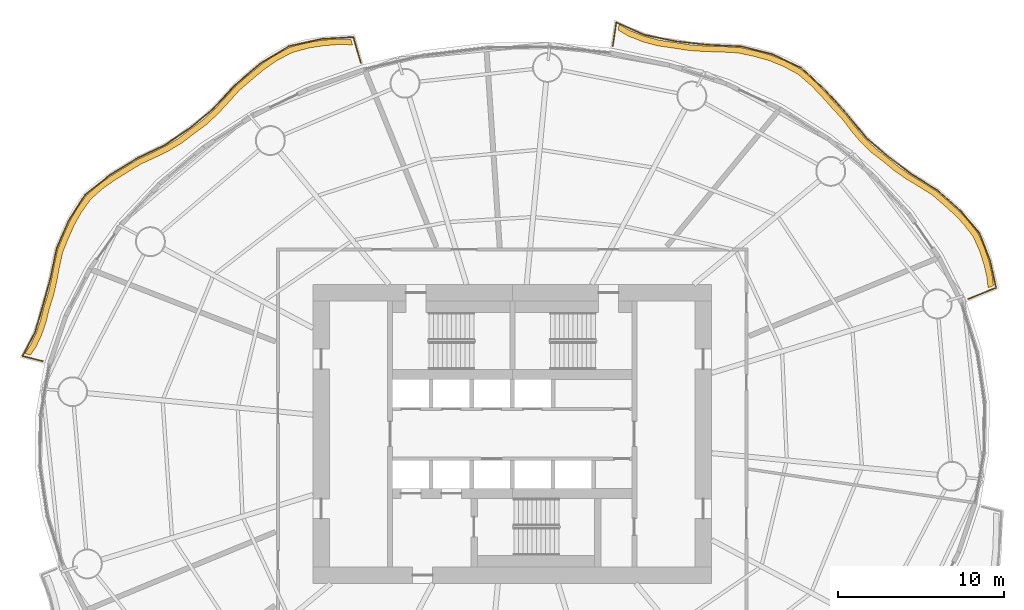
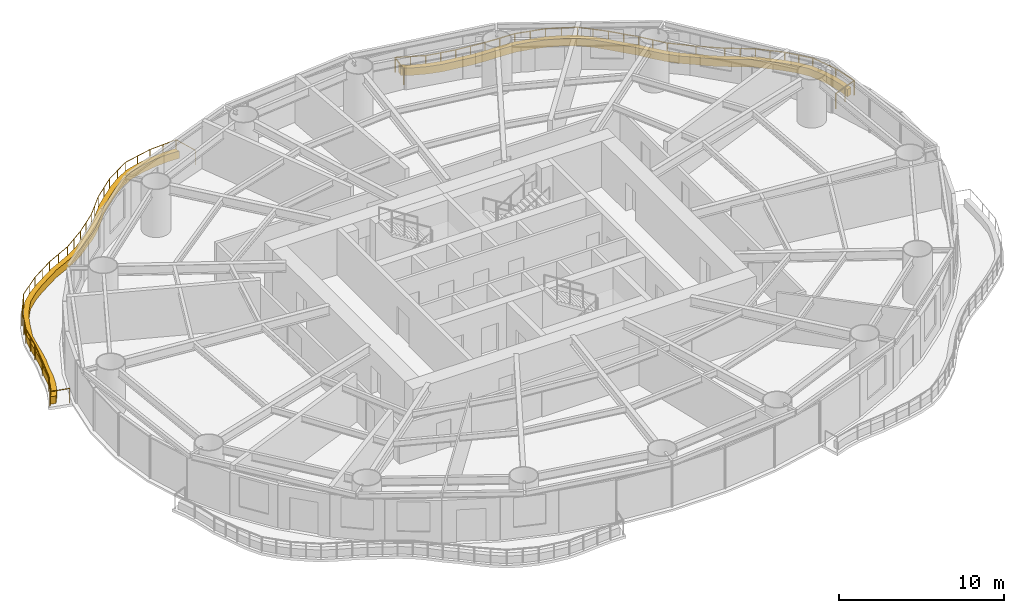
# One storey, part 16 of 16: 2 coverings, 2 railings.
"""IFC4 building model written with IfcOpenShell, lengths in metres."""

from ifc_helpers import new_model, si_unit, direction, frame, origin, origin_2d, place, context, subcontext, project, spatial, polyline, circle, outline, extrude, material, type_object, element, save


model = new_model("IFC4")

# Units and contexts
model_context = context("Model", 3, precision=1e-05, world=origin(), true_north=direction((0.0, 1.0)))
body_context = subcontext(model_context, "Body", "Model", "MODEL_VIEW")
ifc_project = project(units=[si_unit("LENGTHUNIT", "METRE"), si_unit("AREAUNIT", "SQUARE_METRE"), si_unit("VOLUMEUNIT", "CUBIC_METRE"), si_unit("PLANEANGLEUNIT", "RADIAN"), si_unit("MASSUNIT", "GRAM", prefix="KILO")], contexts=[model_context])

# Site, building, storey
site_placement = place(None, origin())
site = spatial("IfcSite", under=ifc_project, at=site_placement, CompositionType="ELEMENT")
building_placement = place(site_placement, origin())
building = spatial("IfcBuilding", under=site, at=building_placement, Name="Vermilion Reach Broadcast Tower", CompositionType="ELEMENT")
storey_placement = place(building_placement, frame((0.0, 0.0, 50.800048828125)))
storey = spatial("IfcBuildingStorey", under=building, at=storey_placement, Name="L09", CompositionType="ELEMENT", Elevation=50.800048828125)

# Coverings
ifc_material_1 = material(Name="Planting soil and greenery")
covering_type = type_object("IfcCoveringType", Name="Balcony PLANTER", PredefinedType="USERDEFINED", material=ifc_material_1)
placement = place(storey_placement, origin())
element("IfcCovering", 1, at=placement, inside=storey, type_object=covering_type, Name="PLANTER L09 group 1", ObjectType="PLANTER", PredefinedType="USERDEFINED", context=body_context, shape_type="SweptSolid", body=[
    extrude(outline(polyline([(22.959716796875, 8.929443359375), (22.877685546875, 9.599365234375), (22.68994140625, 10.388916015625), (22.445068359375, 11.14990234375), (22.0498046875, 12.040771484375), (21.447021484375, 12.828125), (20.883056640625, 13.41943359375), (20.265625, 13.973388671875), (19.538330078125, 14.612548828125), (18.69873046875, 15.142578125), (17.96337890625, 15.58837890625), (17.263427734375, 16.0673828125), (16.566650390625, 16.649169921875), (15.83544921875, 17.21240234375), (15.220947265625, 17.80322265625), (14.660400390625, 18.4599609375), (14.06640625, 19.22802734375), (13.381591796875, 19.95947265625), (12.7783203125, 20.639892578125), (12.15478515625, 21.288330078125), (11.370849609375, 21.955078125), (10.4541015625, 22.44677734375), (9.625732421875, 22.7822265625), (8.75634765625, 23.028564453125), (7.74609375, 23.255859375), (6.68310546875, 23.321533203125), (5.732666015625, 23.34619140625), (4.794189453125, 23.407470703125), (3.81982421875, 23.559814453125), (2.840087890625, 23.701416015625), (1.94482421875, 23.94091796875), (1.070556640625, 24.282470703125), (0.425537109375, 24.656982421875), (0.373291015625, 24.31103515625), (0.99951171875, 23.939697265625), (1.873779296875, 23.59814453125), (2.76904296875, 23.358642578125), (3.729736328125, 23.2216796875), (4.685302734375, 23.074951171875), (5.62353515625, 23.013671875), (6.573974609375, 22.989013671875), (7.61767578125, 22.93017578125), (8.609130859375, 22.711181640625), (9.478759765625, 22.464599609375), (10.306884765625, 22.129150390625), (11.20458984375, 21.64697265625), (11.97021484375, 20.990966796875), (12.593505859375, 20.3427734375), (13.19677734375, 19.662353515625), (13.863037109375, 18.943115234375), (14.439208984375, 18.18896484375), (14.999755859375, 17.531982421875), (15.6142578125, 16.941162109375), (16.32763671875, 16.3935546875), (17.007568359375, 15.828369140625), (17.70751953125, 15.349609375), (18.44287109375, 14.90380859375), (19.26611328125, 14.392333984375), (19.978515625, 13.773193359375), (20.595947265625, 13.21923828125), (21.159912109375, 12.6279296875), (21.74853515625, 11.862548828125), (22.13134765625, 10.99462890625), (22.376220703125, 10.233642578125), (22.56396484375, 9.444091796875), (22.635009765625, 8.798828125), (22.959716796875, 8.929443359375)])), origin(), (0.0, 0.0, 1.0), 0.550048828125),
])
element("IfcCovering", 2, at=placement, inside=storey, type_object=covering_type, Name="PLANTER L09 group 2", ObjectType="PLANTER", PredefinedType="USERDEFINED", context=body_context, shape_type="SweptSolid", body=[
    extrude(outline(polyline([(-15.713623046875, 23.751220703125), (-16.483154296875, 23.7763671875), (-17.437744140625, 23.701416015625), (-18.368408203125, 23.55810546875), (-19.39599609375, 23.274169921875), (-20.3232421875, 22.782470703125), (-21.08154296875, 22.258544921875), (-21.804443359375, 21.66162109375), (-22.600830078125, 20.97802734375), (-23.296875, 20.2158203125), (-23.924560546875, 19.540283203125), (-24.58984375, 18.923828125), (-25.360595703125, 18.35302734375), (-26.10498046875, 17.784423828125), (-26.860107421875, 17.330078125), (-27.663818359375, 16.934326171875), (-28.580810546875, 16.50634765625), (-29.42236328125, 15.98291015625), (-30.17236328125, 15.521240234375), (-30.881103515625, 15.020751953125), (-31.644287109375, 14.34521484375), (-32.220947265625, 13.537109375), (-32.629638671875, 12.812255859375), (-32.974853515625, 12.042236328125), (-33.355224609375, 11.125244140625), (-33.572265625, 10.170654296875), (-33.727783203125, 9.3427734375), (-33.912353515625, 8.529541015625), (-34.187255859375, 7.668212890625), (-34.39794921875, 6.815673828125), (-34.65966796875, 6.0693359375), (-34.99755859375, 5.348876953125), (-35.33935546875, 4.838623046875), (-35.0, 4.752685546875), (-34.666015625, 5.23681640625), (-34.327880859375, 5.957275390625), (-34.06640625, 6.70361328125), (-33.864990234375, 7.53173828125), (-33.60107421875, 8.36962890625), (-33.41650390625, 9.182861328125), (-33.2607421875, 10.0107421875), (-33.05615234375, 10.943359375), (-32.689208984375, 11.839599609375), (-32.34423828125, 12.609619140625), (-31.935302734375, 13.33447265625), (-31.373291015625, 14.1240234375), (-30.625732421875, 14.78173828125), (-29.9169921875, 15.281982421875), (-29.1669921875, 15.74365234375), (-28.341064453125, 16.25146484375), (-27.441162109375, 16.66455078125), (-26.637451171875, 17.06005859375), (-25.882080078125, 17.514404296875), (-25.15478515625, 18.070068359375), (-24.401611328125, 18.62890625), (-23.736083984375, 19.2451171875), (-23.108642578125, 19.9208984375), (-22.43017578125, 20.67236328125), (-21.65185546875, 21.3466796875), (-20.928955078125, 21.943359375), (-20.170654296875, 22.46728515625), (-19.261474609375, 22.950927734375), (-18.252197265625, 23.22802734375), (-17.32177734375, 23.371337890625), (-16.366943359375, 23.4462890625), (-15.615966796875, 23.415283203125), (-15.713623046875, 23.751220703125)])), origin(), (0.0, 0.0, 1.0), 0.550048828125),
])

# Railings
ifc_material_2 = material(Name="Stainless steel 316 balustrade", Category="steel")
railing_type = type_object("IfcRailingType", Name="Balcony guard 1100", PredefinedType="BALUSTRADE", material=ifc_material_2)
railing_1_placement = place(storey_placement, frame((21.42431640625, 8.118408203125, 0.0)))
element("IfcRailing", 3, at=railing_1_placement, inside=storey, type_object=railing_type, Name="Balcony guard L09 group 1", PredefinedType="BALUSTRADE", context=body_context, shape_type="SweptSolid", body=[
    extrude(circle(Radius=0.02490234375, at=origin_2d()), frame((0.0, 0.0, 1.0751953125), z_axis=(0.927735176186, 0.373239122905, 0.0), x_axis=(-0.373239122905, 0.927735176186, 0.0)), (0.0, 0.0, 1.0), 1.821044921875),
    extrude(circle(Radius=0.02490234375, at=origin_2d()), frame((1.689453125, 0.6796875, 1.0751953125), z_axis=(-0.211722982124, 0.977329718591, 0.0), x_axis=(-0.977329718591, -0.211722982124, 0.0)), (0.0, 0.0, 1.0), 1.6640625),
    extrude(circle(Radius=0.02490234375, at=origin_2d()), frame((1.337158203125, 2.305908203125, 1.0751953125), z_axis=(-0.361637501709, 0.932318785265, 0.0), x_axis=(-0.932318785265, -0.361637501709, 0.0)), (0.0, 0.0, 1.0), 1.777587890625),
    extrude(circle(Radius=0.02490234375, at=origin_2d()), frame((0.6943359375, 3.963134765625, 1.0751953125), z_axis=(-0.645694556795, 0.763595795775, 0.0), x_axis=(-0.763595795775, -0.645694556795, 0.0)), (0.0, 0.0, 1.0), 1.811767578125),
    extrude(circle(Radius=0.02490234375, at=origin_2d()), frame((-0.4755859375, 5.3466796875, 1.0751953125), z_axis=(-0.747633332321, 0.66411173789, 0.0), x_axis=(-0.66411173789, -0.747633332321, 0.0)), (0.0, 0.0, 1.0), 1.803466796875),
    extrude(circle(Radius=0.02490234375, at=origin_2d()), frame((-1.823974609375, 6.54443359375, 1.0751953125), z_axis=(-0.849508174534, 0.527575455646, 0.0), x_axis=(-0.527575455646, -0.849508174534, 0.0)), (0.0, 0.0, 1.0), 1.85791015625),
    extrude(circle(Radius=0.02490234375, at=origin_2d()), frame((-3.40234375, 7.524658203125, 1.0751953125), z_axis=(-0.796170216725, 0.605072711333, 0.0), x_axis=(-0.605072711333, -0.796170216725, 0.0)), (0.0, 0.0, 1.0), 1.75927734375),
    extrude(circle(Radius=0.02490234375, at=origin_2d()), frame((-4.802978515625, 8.589111328125, 1.0751953125), z_axis=(-0.759130595379, 0.650938352811, 0.0), x_axis=(-0.650938352811, -0.759130595379, 0.0)), (0.0, 0.0, 1.0), 1.778076171875),
    extrude(circle(Radius=0.02490234375, at=origin_2d()), frame((-6.15283203125, 9.74658203125, 1.0751953125), z_axis=(-0.630007620298, 0.776588950711, 0.0), x_axis=(-0.776588950711, -0.630007620298, 0.0)), (0.0, 0.0, 1.0), 1.8388671875),
    extrude(circle(Radius=0.02490234375, at=origin_2d()), frame((-7.311279296875, 11.174560546875, 1.0751953125), z_axis=(-0.674408300279, 0.738358615115, 0.0), x_axis=(-0.738358615115, -0.674408300279, 0.0)), (0.0, 0.0, 1.0), 1.91650390625),
    extrude(circle(Radius=0.02490234375, at=origin_2d()), frame((-8.603759765625, 12.589599609375, 1.0751953125), z_axis=(-0.731088905189, 0.682282208994, 0.0), x_axis=(-0.682282208994, -0.731088905189, 0.0)), (0.0, 0.0, 1.0), 1.930908203125),
    extrude(circle(Radius=0.02490234375, at=origin_2d()), frame((-10.015380859375, 13.906982421875, 1.0751953125), z_axis=(-0.903611988028, 0.428351929016, 0.0), x_axis=(-0.428351929016, -0.903611988028, 0.0)), (0.0, 0.0, 1.0), 1.93603515625),
    extrude(circle(Radius=0.02490234375, at=origin_2d()), frame((-11.764892578125, 14.736328125, 1.0751953125), z_axis=(-0.969585659877, 0.244752217888, 0.0), x_axis=(-0.244752217888, -0.969585659877, 0.0)), (0.0, 0.0, 1.0), 1.943115234375),
    extrude(circle(Radius=0.02490234375, at=origin_2d()), frame((-13.64892578125, 15.2119140625, 1.0751953125), z_axis=(-0.998961300491, 0.045566655812, 0.0), x_axis=(-0.045566655812, -0.998961300491, 0.0)), (0.0, 0.0, 1.0), 2.02001953125),
    extrude(circle(Radius=0.02490234375, at=origin_2d()), frame((-15.666748046875, 15.303955078125, 1.0751953125), z_axis=(-0.993793897501, 0.111237085942, 0.0), x_axis=(-0.111237085942, -0.993793897501, 0.0)), (0.0, 0.0, 1.0), 1.92919921875),
    extrude(circle(Radius=0.02490234375, at=origin_2d()), frame((-17.583984375, 15.5185546875, 1.0751953125), z_axis=(-0.979929076444, 0.199346445013, 0.0), x_axis=(-0.199346445013, -0.979929076444, 0.0)), (0.0, 0.0, 1.0), 1.91796875),
    extrude(circle(Radius=0.02490234375, at=origin_2d()), frame((-19.46337890625, 15.90087890625, 1.0751953125), z_axis=(-0.914211816247, 0.405236665461, 0.0), x_axis=(-0.405236665461, -0.914211816247, 0.0)), (0.0, 0.0, 1.0), 1.859130859375),
    extrude(circle(Radius=0.02490234375, at=origin_2d()), frame((-21.1630859375, 16.654296875, 1.0751953125), z_axis=(-0.148883742379, -0.988854706848, 0.0), x_axis=(0.988854706848, -0.148883742379, 0.0)), (0.0, 0.0, 1.0), 1.42822265625),
    extrude(circle(Radius=0.02490234375, at=origin_2d()), origin(), (0.0, 0.0, 1.0), 1.050048828125),
    extrude(circle(Radius=0.02490234375, at=origin_2d()), frame((0.8447265625, 0.33984375, 0.0)), (0.0, 0.0, 1.0), 1.050048828125),
    extrude(circle(Radius=0.02490234375, at=origin_2d()), frame((1.689453125, 0.6796875, 0.0)), (0.0, 0.0, 1.0), 1.050048828125),
    extrude(circle(Radius=0.02490234375, at=origin_2d()), frame((1.337158203125, 2.305908203125, 0.0)), (0.0, 0.0, 1.0), 1.050048828125),
    extrude(circle(Radius=0.02490234375, at=origin_2d()), frame((0.6943359375, 3.963134765625, 0.0)), (0.0, 0.0, 1.0), 1.050048828125),
    extrude(circle(Radius=0.02490234375, at=origin_2d()), frame((0.109375, 4.65478515625, 0.0)), (0.0, 0.0, 1.0), 1.050048828125),
    extrude(circle(Radius=0.02490234375, at=origin_2d()), frame((-0.4755859375, 5.3466796875, 0.0)), (0.0, 0.0, 1.0), 1.050048828125),
    extrude(circle(Radius=0.02490234375, at=origin_2d()), frame((-1.14990234375, 5.945556640625, 0.0)), (0.0, 0.0, 1.0), 1.050048828125),
    extrude(circle(Radius=0.02490234375, at=origin_2d()), frame((-1.823974609375, 6.54443359375, 0.0)), (0.0, 0.0, 1.0), 1.050048828125),
    extrude(circle(Radius=0.02490234375, at=origin_2d()), frame((-2.61328125, 7.03466796875, 0.0)), (0.0, 0.0, 1.0), 1.050048828125),
    extrude(circle(Radius=0.02490234375, at=origin_2d()), frame((-3.40234375, 7.524658203125, 0.0)), (0.0, 0.0, 1.0), 1.050048828125),
    extrude(circle(Radius=0.02490234375, at=origin_2d()), frame((-4.802978515625, 8.589111328125, 0.0)), (0.0, 0.0, 1.0), 1.050048828125),
    extrude(circle(Radius=0.02490234375, at=origin_2d()), frame((-6.15283203125, 9.74658203125, 0.0)), (0.0, 0.0, 1.0), 1.050048828125),
    extrude(circle(Radius=0.02490234375, at=origin_2d()), frame((-6.73193359375, 10.46044921875, 0.0)), (0.0, 0.0, 1.0), 1.050048828125),
    extrude(circle(Radius=0.02490234375, at=origin_2d()), frame((-7.311279296875, 11.174560546875, 0.0)), (0.0, 0.0, 1.0), 1.050048828125),
    extrude(circle(Radius=0.02490234375, at=origin_2d()), frame((-7.95751953125, 11.882080078125, 0.0)), (0.0, 0.0, 1.0), 1.050048828125),
    extrude(circle(Radius=0.02490234375, at=origin_2d()), frame((-8.603759765625, 12.589599609375, 0.0)), (0.0, 0.0, 1.0), 1.050048828125),
    extrude(circle(Radius=0.02490234375, at=origin_2d()), frame((-9.3095703125, 13.248291015625, 0.0)), (0.0, 0.0, 1.0), 1.050048828125),
    extrude(circle(Radius=0.02490234375, at=origin_2d()), frame((-10.015380859375, 13.906982421875, 0.0)), (0.0, 0.0, 1.0), 1.050048828125),
    extrude(circle(Radius=0.02490234375, at=origin_2d()), frame((-10.89013671875, 14.32177734375, 0.0)), (0.0, 0.0, 1.0), 1.050048828125),
    extrude(circle(Radius=0.02490234375, at=origin_2d()), frame((-11.764892578125, 14.736328125, 0.0)), (0.0, 0.0, 1.0), 1.050048828125),
    extrude(circle(Radius=0.02490234375, at=origin_2d()), frame((-12.70703125, 14.97412109375, 0.0)), (0.0, 0.0, 1.0), 1.050048828125),
    extrude(circle(Radius=0.02490234375, at=origin_2d()), frame((-13.64892578125, 15.2119140625, 0.0)), (0.0, 0.0, 1.0), 1.050048828125),
    extrude(circle(Radius=0.02490234375, at=origin_2d()), frame((-14.65771484375, 15.2578125, 0.0)), (0.0, 0.0, 1.0), 1.050048828125),
    extrude(circle(Radius=0.02490234375, at=origin_2d()), frame((-15.666748046875, 15.303955078125, 0.0)), (0.0, 0.0, 1.0), 1.050048828125),
    extrude(circle(Radius=0.02490234375, at=origin_2d()), frame((-16.62548828125, 15.4111328125, 0.0)), (0.0, 0.0, 1.0), 1.050048828125),
    extrude(circle(Radius=0.02490234375, at=origin_2d()), frame((-17.583984375, 15.5185546875, 0.0)), (0.0, 0.0, 1.0), 1.050048828125),
    extrude(circle(Radius=0.02490234375, at=origin_2d()), frame((-18.523681640625, 15.709716796875, 0.0)), (0.0, 0.0, 1.0), 1.050048828125),
    extrude(circle(Radius=0.02490234375, at=origin_2d()), frame((-19.46337890625, 15.90087890625, 0.0)), (0.0, 0.0, 1.0), 1.050048828125),
    extrude(circle(Radius=0.02490234375, at=origin_2d()), frame((-20.313232421875, 16.277587890625, 0.0)), (0.0, 0.0, 1.0), 1.050048828125),
    extrude(circle(Radius=0.02490234375, at=origin_2d()), frame((-21.1630859375, 16.654296875, 0.0)), (0.0, 0.0, 1.0), 1.050048828125),
    extrude(circle(Radius=0.02490234375, at=origin_2d()), frame((-21.375732421875, 15.241943359375, 0.0)), (0.0, 0.0, 1.0), 1.050048828125),
])
railing_2_placement = place(storey_placement, frame((-15.1162109375, 22.342529296875, 0.0)))
element("IfcRailing", 4, at=railing_2_placement, inside=storey, type_object=railing_type, Name="Balcony guard L09 group 2", PredefinedType="BALUSTRADE", context=body_context, shape_type="SweptSolid", body=[
    extrude(circle(Radius=0.02490234375, at=origin_2d()), frame((0.0, 0.0, 1.0751953125), z_axis=(-0.279726208862, 0.960079813388, 0.0), x_axis=(-0.960079813388, -0.279726208862, 0.0)), (0.0, 0.0, 1.0), 1.609375),
    extrude(circle(Radius=0.02490234375, at=origin_2d()), frame((-0.4501953125, 1.545166015625, 1.0751953125), z_axis=(-0.998306547346, -0.058172480827, 0.0), x_axis=(0.058172480827, -0.998306547346, 0.0)), (0.0, 0.0, 1.0), 1.901123046875),
    extrude(circle(Radius=0.02490234375, at=origin_2d()), frame((-2.34814453125, 1.4345703125, 1.0751953125), z_axis=(-0.97690794546, -0.213660633008, 0.0), x_axis=(0.213660633008, -0.97690794546, 0.0)), (0.0, 0.0, 1.0), 2.0087890625),
    extrude(circle(Radius=0.02490234375, at=origin_2d()), frame((-4.310546875, 1.00537109375, 1.0751953125), z_axis=(-0.85670553484, -0.515805803161, 0.0), x_axis=(0.515805803161, -0.85670553484, 0.0)), (0.0, 0.0, 1.0), 1.972412109375),
    extrude(circle(Radius=0.02490234375, at=origin_2d()), frame((-6.000244140625, -0.011962890625, 1.0751953125), z_axis=(-0.76495570188, -0.644082893859, 0.0), x_axis=(0.644082893859, -0.76495570188, 0.0)), (0.0, 0.0, 1.0), 1.991455078125),
    extrude(circle(Radius=0.02490234375, at=origin_2d()), frame((-7.523681640625, -1.294677734375, 1.0751953125), z_axis=(-0.677793339594, -0.735252466029, 0.0), x_axis=(0.735252466029, -0.677793339594, 0.0)), (0.0, 0.0, 1.0), 1.958740234375),
    extrude(circle(Radius=0.02490234375, at=origin_2d()), frame((-8.851318359375, -2.73486328125, 1.0751953125), z_axis=(-0.770903160952, -0.636952365906, 0.0), x_axis=(0.636952365906, -0.770903160952, 0.0)), (0.0, 0.0, 1.0), 1.8681640625),
    extrude(circle(Radius=0.02490234375, at=origin_2d()), frame((-10.29150390625, -3.9248046875, 1.0751953125), z_axis=(-0.826017282062, -0.563644790391, 0.0), x_axis=(0.563644790391, -0.826017282062, 0.0)), (0.0, 0.0, 1.0), 1.820068359375),
    extrude(circle(Radius=0.02490234375, at=origin_2d()), frame((-11.794921875, -4.95068359375, 1.0751953125), z_axis=(-0.901634581292, -0.4324986495, 0.0), x_axis=(0.4324986495, -0.901634581292, 0.0)), (0.0, 0.0, 1.0), 1.91259765625),
    extrude(circle(Radius=0.02490234375, at=origin_2d()), frame((-13.519287109375, -5.77783203125, 1.0751953125), z_axis=(-0.84994346216, -0.526873904394, 0.0), x_axis=(0.526873904394, -0.84994346216, 0.0)), (0.0, 0.0, 1.0), 1.877197265625),
    extrude(circle(Radius=0.02490234375, at=origin_2d()), frame((-15.11474609375, -6.766845703125, 1.0751953125), z_axis=(-0.781020096316, -0.624505892007, 0.0), x_axis=(0.624505892007, -0.781020096316, 0.0)), (0.0, 0.0, 1.0), 1.888916015625),
    extrude(circle(Radius=0.02490234375, at=origin_2d()), frame((-16.590087890625, -7.946533203125, 1.0751953125), z_axis=(-0.540784592342, -0.84116111696, 0.0), x_axis=(0.84116111696, -0.540784592342, 0.0)), (0.0, 0.0, 1.0), 1.827880859375),
    extrude(circle(Radius=0.02490234375, at=origin_2d()), frame((-17.57861328125, -9.484130859375, 1.0751953125), z_axis=(-0.395646255749, -0.918402983614, 0.0), x_axis=(0.918402983614, -0.395646255749, 0.0)), (0.0, 0.0, 1.0), 1.842041015625),
    extrude(circle(Radius=0.02490234375, at=origin_2d()), frame((-18.307373046875, -11.17578125, 1.0751953125), z_axis=(-0.205592770968, -0.978637630855, 0.0), x_axis=(0.978637630855, -0.205592770968, 0.0)), (0.0, 0.0, 1.0), 1.826416015625),
    extrude(circle(Radius=0.02490234375, at=origin_2d()), frame((-18.682861328125, -12.963134765625, 1.0751953125), z_axis=(-0.265084840642, -0.964225091595, 0.0), x_axis=(0.964225091595, -0.265084840642, 0.0)), (0.0, 0.0, 1.0), 1.742431640625),
    extrude(circle(Radius=0.02490234375, at=origin_2d()), frame((-19.144775390625, -14.643310546875, 1.0751953125), z_axis=(-0.283556617013, -0.958955496855, 0.0), x_axis=(0.958955496855, -0.283556617013, 0.0)), (0.0, 0.0, 1.0), 1.6728515625),
    extrude(circle(Radius=0.02490234375, at=origin_2d()), frame((-19.619140625, -16.24755859375, 1.0751953125), z_axis=(-0.464942264764, -0.885341002346, 0.0), x_axis=(0.885341002346, -0.464942264764, 0.0)), (0.0, 0.0, 1.0), 1.58935546875),
    extrude(circle(Radius=0.02490234375, at=origin_2d()), frame((-20.358154296875, -17.65478515625, 1.0751953125), z_axis=(0.969320975726, -0.245798384895, 0.0), x_axis=(0.245798384895, 0.969320975726, 0.0)), (0.0, 0.0, 1.0), 1.24951171875),
    extrude(circle(Radius=0.02490234375, at=origin_2d()), origin(), (0.0, 0.0, 1.0), 1.050048828125),
    extrude(circle(Radius=0.02490234375, at=origin_2d()), frame((-0.4501953125, 1.545166015625, 0.0)), (0.0, 0.0, 1.0), 1.050048828125),
    extrude(circle(Radius=0.02490234375, at=origin_2d()), frame((-1.399169921875, 1.48974609375, 0.0)), (0.0, 0.0, 1.0), 1.050048828125),
    extrude(circle(Radius=0.02490234375, at=origin_2d()), frame((-2.34814453125, 1.4345703125, 0.0)), (0.0, 0.0, 1.0), 1.050048828125),
    extrude(circle(Radius=0.02490234375, at=origin_2d()), frame((-3.329345703125, 1.219970703125, 0.0)), (0.0, 0.0, 1.0), 1.050048828125),
    extrude(circle(Radius=0.02490234375, at=origin_2d()), frame((-4.310546875, 1.00537109375, 0.0)), (0.0, 0.0, 1.0), 1.050048828125),
    extrude(circle(Radius=0.02490234375, at=origin_2d()), frame((-5.1552734375, 0.49658203125, 0.0)), (0.0, 0.0, 1.0), 1.050048828125),
    extrude(circle(Radius=0.02490234375, at=origin_2d()), frame((-6.000244140625, -0.011962890625, 0.0)), (0.0, 0.0, 1.0), 1.050048828125),
    extrude(circle(Radius=0.02490234375, at=origin_2d()), frame((-6.761962890625, -0.6533203125, 0.0)), (0.0, 0.0, 1.0), 1.050048828125),
    extrude(circle(Radius=0.02490234375, at=origin_2d()), frame((-7.523681640625, -1.294677734375, 0.0)), (0.0, 0.0, 1.0), 1.050048828125),
    extrude(circle(Radius=0.02490234375, at=origin_2d()), frame((-8.1875, -2.0146484375, 0.0)), (0.0, 0.0, 1.0), 1.050048828125),
    extrude(circle(Radius=0.02490234375, at=origin_2d()), frame((-8.851318359375, -2.73486328125, 0.0)), (0.0, 0.0, 1.0), 1.050048828125),
    extrude(circle(Radius=0.02490234375, at=origin_2d()), frame((-9.5712890625, -3.329833984375, 0.0)), (0.0, 0.0, 1.0), 1.050048828125),
    extrude(circle(Radius=0.02490234375, at=origin_2d()), frame((-10.29150390625, -3.9248046875, 0.0)), (0.0, 0.0, 1.0), 1.050048828125),
    extrude(circle(Radius=0.02490234375, at=origin_2d()), frame((-11.043212890625, -4.437744140625, 0.0)), (0.0, 0.0, 1.0), 1.050048828125),
    extrude(circle(Radius=0.02490234375, at=origin_2d()), frame((-11.794921875, -4.95068359375, 0.0)), (0.0, 0.0, 1.0), 1.050048828125),
    extrude(circle(Radius=0.02490234375, at=origin_2d()), frame((-12.6572265625, -5.3642578125, 0.0)), (0.0, 0.0, 1.0), 1.050048828125),
    extrude(circle(Radius=0.02490234375, at=origin_2d()), frame((-13.519287109375, -5.77783203125, 0.0)), (0.0, 0.0, 1.0), 1.050048828125),
    extrude(circle(Radius=0.02490234375, at=origin_2d()), frame((-14.31689453125, -6.2724609375, 0.0)), (0.0, 0.0, 1.0), 1.050048828125),
    extrude(circle(Radius=0.02490234375, at=origin_2d()), frame((-15.11474609375, -6.766845703125, 0.0)), (0.0, 0.0, 1.0), 1.050048828125),
    extrude(circle(Radius=0.02490234375, at=origin_2d()), frame((-15.8525390625, -7.356689453125, 0.0)), (0.0, 0.0, 1.0), 1.050048828125),
    extrude(circle(Radius=0.02490234375, at=origin_2d()), frame((-16.590087890625, -7.946533203125, 0.0)), (0.0, 0.0, 1.0), 1.050048828125),
    extrude(circle(Radius=0.02490234375, at=origin_2d()), frame((-17.08447265625, -8.71533203125, 0.0)), (0.0, 0.0, 1.0), 1.050048828125),
    extrude(circle(Radius=0.02490234375, at=origin_2d()), frame((-17.57861328125, -9.484130859375, 0.0)), (0.0, 0.0, 1.0), 1.050048828125),
    extrude(circle(Radius=0.02490234375, at=origin_2d()), frame((-17.94287109375, -10.330078125, 0.0)), (0.0, 0.0, 1.0), 1.050048828125),
    extrude(circle(Radius=0.02490234375, at=origin_2d()), frame((-18.307373046875, -11.17578125, 0.0)), (0.0, 0.0, 1.0), 1.050048828125),
    extrude(circle(Radius=0.02490234375, at=origin_2d()), frame((-18.4951171875, -12.0693359375, 0.0)), (0.0, 0.0, 1.0), 1.050048828125),
    extrude(circle(Radius=0.02490234375, at=origin_2d()), frame((-18.682861328125, -12.963134765625, 0.0)), (0.0, 0.0, 1.0), 1.050048828125),
    extrude(circle(Radius=0.02490234375, at=origin_2d()), frame((-19.144775390625, -14.643310546875, 0.0)), (0.0, 0.0, 1.0), 1.050048828125),
    extrude(circle(Radius=0.02490234375, at=origin_2d()), frame((-19.619140625, -16.24755859375, 0.0)), (0.0, 0.0, 1.0), 1.050048828125),
    extrude(circle(Radius=0.02490234375, at=origin_2d()), frame((-20.358154296875, -17.65478515625, 0.0)), (0.0, 0.0, 1.0), 1.050048828125),
    extrude(circle(Radius=0.02490234375, at=origin_2d()), frame((-19.14697265625, -17.9619140625, 0.0)), (0.0, 0.0, 1.0), 1.050048828125),
])

save(model, "model.ifc")
